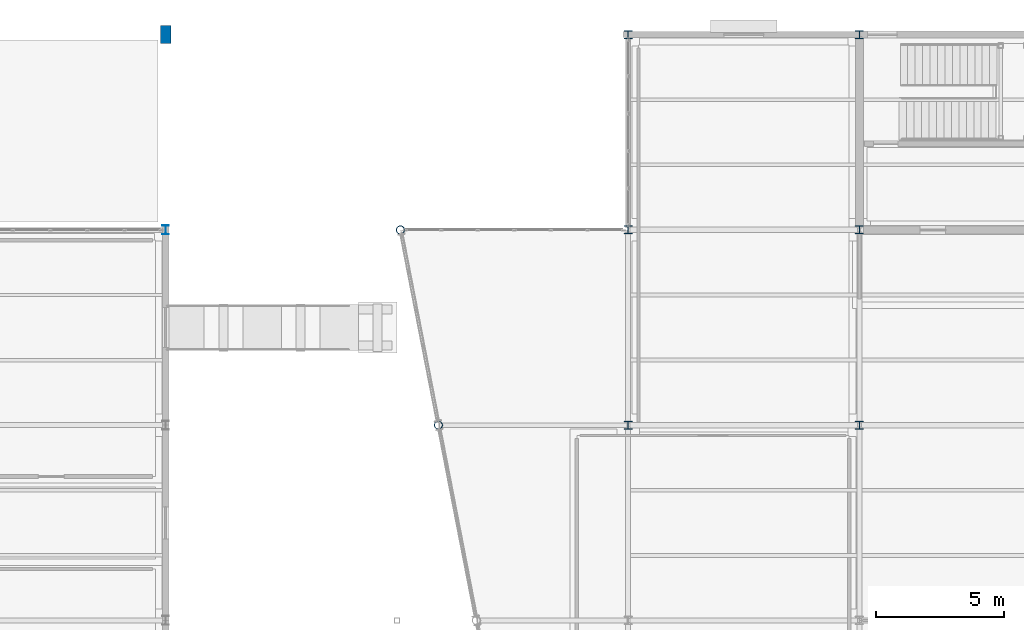
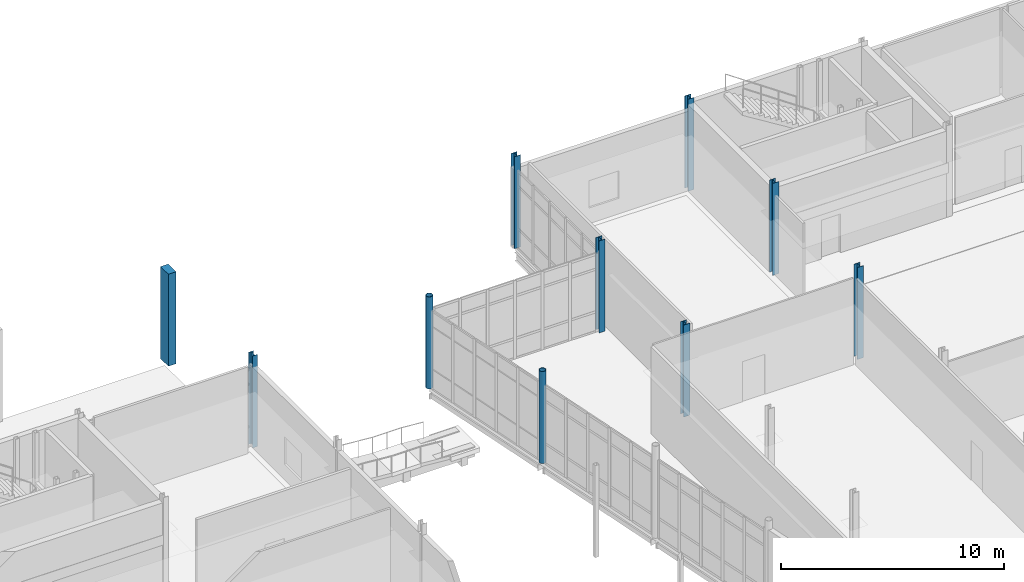
# One storey, part 24 of 161: 10 columns.
"""IFC4 building model written with IfcOpenShell, lengths in metres."""

from ifc_helpers import new_model, si_unit, direction, frame, origin, origin_2d, place, context, subcontext, project, spatial, rectangle, hollow_circle, i_section, extrude, material, material_profile, profile_set, type_object, element, save


model = new_model("IFC4")

# Units and contexts
model_context = context("Model", 3, precision=1e-05, world=origin(), true_north=direction((0.0, 1.0)))
body_context = subcontext(model_context, "Body", "Model", "MODEL_VIEW")
ifc_project = project(units=[si_unit("LENGTHUNIT", "METRE"), si_unit("AREAUNIT", "SQUARE_METRE"), si_unit("VOLUMEUNIT", "CUBIC_METRE"), si_unit("PLANEANGLEUNIT", "RADIAN"), si_unit("MASSUNIT", "GRAM", prefix="KILO")], contexts=[model_context])

# Site, building, storey
site_placement = place(None, origin())
site = spatial("IfcSite", under=ifc_project, at=site_placement, CompositionType="ELEMENT")
building_placement = place(site_placement, origin())
building = spatial("IfcBuilding", under=site, at=building_placement, Name="Caisbarro Railhouse Central Library", CompositionType="ELEMENT")
storey_placement = place(building_placement, origin())
storey = spatial("IfcBuildingStorey", under=building, at=storey_placement, Name="L00", CompositionType="ELEMENT", Elevation=0.0)

# Columns
ifc_material_1 = material(Name="Steel ASTM A572 Grade 50", Category="steel")
ifc_material_profile_1 = material_profile(ifc_material_1, i_section(OverallWidth=0.31201171875, OverallDepth=0.31201171875, WebThickness=0.017333984375, FlangeThickness=0.017333984375, FilletRadius=0.014892578125, at=origin_2d()), Name="HP310X125.0")
ifc_profile_set_1 = profile_set([ifc_material_profile_1], Name="Steel ASTM A572 Grade 50")
column_type_1 = type_object("IfcColumnType", Name="COL-C03", PredefinedType="COLUMN", material=ifc_profile_set_1)
for number, where, z_axis, x_axis, name in (
    (1, (117.0, 98.800048828125, 0.0), (0.0, 0.0, 1.0), (1.0, 0.0, 0.0), "C03 column L00 (117.0,98.8)"),
    (2, (117.0, 106.39990234375, 0.0), (0.0, 0.0, 1.0), (1.0, 0.0, 0.0), "C03 column L00 (117.0,106.4)"),
    (3, (117.0, 114.0, 0.0), (0.0, 0.0, 1.0), (1.0, 0.0, 0.0), "C03 column L00 (117.0,114.0)"),
    (4, (126.0, 98.800048828125, 0.0), (0.0, 0.0, 1.0), (1.0, 0.0, 0.0), "C03 column L00 (126.0,98.8)"),
    (5, (126.0, 106.39990234375, 0.0), (0.0, 0.0, 1.0), (1.0, 0.0, 0.0), "C03 column L00 (126.0,106.4)"),
    (6, (126.0, 114.0, 0.0), (0.0, 0.0, 1.0), (1.0, 0.0, 0.0), "C03 column L00 (126.0,114.0)"),
):
    element("IfcColumn", number, at=place(storey_placement, frame(where, z_axis=z_axis, x_axis=x_axis)), inside=storey, type_object=column_type_1, Name=name, PredefinedType="COLUMN", context=body_context, shape_type="SweptSolid", body=[
        extrude(i_section(OverallWidth=0.31201171875, OverallDepth=0.31201171875, WebThickness=0.017333984375, FlangeThickness=0.017333984375, FilletRadius=0.014892578125, at=origin_2d()), origin(), (0.0, 0.0, 1.0), 5.0400390625),
    ])
ifc_material_profile_2 = material_profile(ifc_material_1, i_section(OverallWidth=0.25390625, OverallDepth=0.35302734375, WebThickness=0.009521484375, FlangeThickness=0.016357421875, FilletRadius=0.014892578125, at=origin_2d()), Name="W360X91.0")
ifc_profile_set_2 = profile_set([ifc_material_profile_2], Name="Steel ASTM A572 Grade 50")
column_type_2 = type_object("IfcColumnType", Name="COL-C05", PredefinedType="COLUMN", material=ifc_profile_set_2)
column_1_placement = place(storey_placement, frame((99.0, 106.39990234375, 0.0), z_axis=(0.0, 0.0, 1.0), x_axis=(1.0, 0.0, 0.0)))
element("IfcColumn", 7, at=column_1_placement, inside=storey, type_object=column_type_2, Name="C05 column L00 (99.0,106.4)", PredefinedType="COLUMN", context=body_context, shape_type="SweptSolid", body=[
    extrude(i_section(OverallWidth=0.25390625, OverallDepth=0.35302734375, WebThickness=0.009521484375, FlangeThickness=0.016357421875, FilletRadius=0.014892578125, at=origin_2d()), origin(), (0.0, 0.0, 1.0), 5.0400390625),
])
ifc_material_profile_3 = material_profile(ifc_material_1, hollow_circle(Radius=0.161865234375, WallThickness=0.01611328125, at=origin_2d()), Name="CHS323.9X16.0")
ifc_profile_set_3 = profile_set([ifc_material_profile_3], Name="Steel ASTM A572 Grade 50")
column_type_3 = type_object("IfcColumnType", Name="COL-C11", PredefinedType="COLUMN", material=ifc_profile_set_3)
for number, where, z_axis, x_axis, name in (
    (8, (108.135986328125, 106.39990234375, 0.0), (0.0, 0.0, 1.0), (0.981627183448, 0.190808995377, 0.0), "C11 column L00 (108.1,106.4)"),
    (9, (109.614013671875, 98.800048828125, 0.0), (0.0, 0.0, 1.0), (0.981627183448, 0.190808995377, 0.0), "C11 column L00 (109.6,98.8)"),
):
    element("IfcColumn", number, at=place(storey_placement, frame(where, z_axis=z_axis, x_axis=x_axis)), inside=storey, type_object=column_type_3, Name=name, PredefinedType="COLUMN", context=body_context, shape_type="SweptSolid", body=[
        extrude(hollow_circle(Radius=0.161865234375, WallThickness=0.01611328125, at=origin_2d()), origin(), (0.0, 0.0, 1.0), 5.0400390625),
    ])
ifc_material_2 = material(Name="Concrete C40", Category="concrete")
ifc_material_profile_4 = material_profile(ifc_material_2, rectangle(XDim=0.39990234375, YDim=0.699951171875, at=origin_2d()), Name="RC-PIL-400X700")
ifc_profile_set_4 = profile_set([ifc_material_profile_4], Name="Concrete C40")
column_type_4 = type_object("IfcColumnType", Name="PIL-P02", PredefinedType="PILASTER", material=ifc_profile_set_4)
column_2_placement = place(storey_placement, frame((99.0, 114.0, 0.0), z_axis=(0.0, 0.0, 1.0), x_axis=(1.0, 0.0, 0.0)))
element("IfcColumn", 10, at=column_2_placement, inside=storey, type_object=column_type_4, Name="PL02 column L00 (99.0,114.0)", PredefinedType="PILASTER", context=body_context, shape_type="SweptSolid", body=[
    extrude(rectangle(XDim=0.39990234375, YDim=0.699951171875, at=origin_2d()), origin(), (0.0, 0.0, 1.0), 5.0400390625),
])

save(model, "model.ifc")
